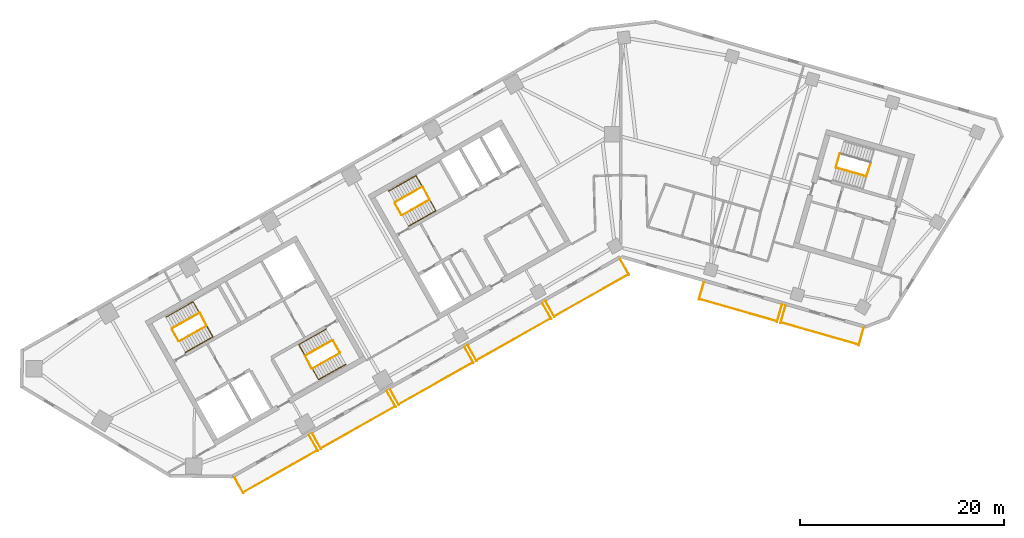
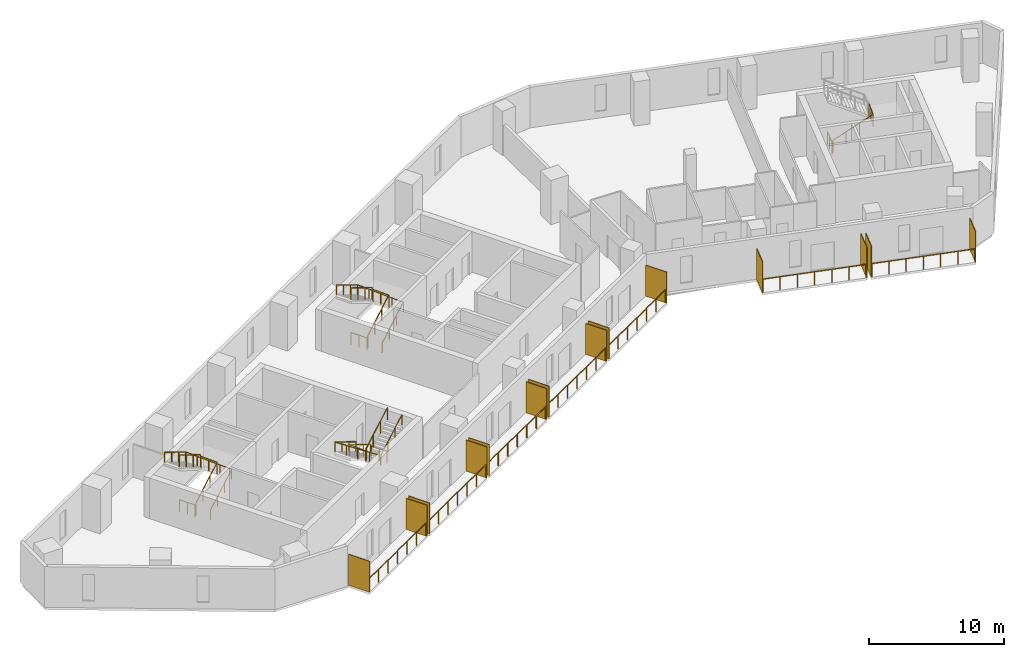
# One storey, part 8 of 9: 21 railings, 14 shading devices.
"""IFC4 building model written with IfcOpenShell, lengths in metres."""

from ifc_helpers import new_model, si_unit, direction, frame, origin, origin_2d, place, context, subcontext, project, spatial, rectangle, circle, extrude, material, layer, layer_set, type_object, element, save


model = new_model("IFC4")

# Units and contexts
model_context = context("Model", 3, precision=1e-05, world=origin(), true_north=direction((0.0, 1.0)))
body_context = subcontext(model_context, "Body", "Model", "MODEL_VIEW")
ifc_project = project(units=[si_unit("LENGTHUNIT", "METRE"), si_unit("AREAUNIT", "SQUARE_METRE"), si_unit("VOLUMEUNIT", "CUBIC_METRE"), si_unit("PLANEANGLEUNIT", "RADIAN"), si_unit("MASSUNIT", "GRAM", prefix="KILO")], contexts=[model_context])

# Site, building, storey
site_placement = place(None, origin())
site = spatial("IfcSite", under=ifc_project, at=site_placement, CompositionType="ELEMENT")
building_placement = place(site_placement, origin())
building = spatial("IfcBuilding", under=site, at=building_placement, Name="Binnacle Exchange Tower", CompositionType="ELEMENT")
storey_placement = place(building_placement, frame((0.0, 0.0, 174.89990234375)))
storey = spatial("IfcBuildingStorey", under=building, at=storey_placement, Name="L37", CompositionType="ELEMENT", Elevation=174.89990234375)

# Railings
ifc_material_1 = material(Name="Bronze anodised aluminium frame", Category="aluminium")
railing_type_1 = type_object("IfcRailingType", Name="GUARD 1200", PredefinedType="GUARDRAIL", material=ifc_material_1)
railing_1_placement = place(storey_placement, frame((-36.994140625, 24.921142578125, 0.0)))
element("IfcRailing", 1, at=railing_1_placement, inside=storey, type_object=railing_type_1, Name="Balcony guard G01-B00 L37", PredefinedType="GUARDRAIL", context=body_context, shape_type="SweptSolid", body=[
    extrude(circle(Radius=0.02392578125, at=origin_2d()), frame((0.0, 0.0, 1.17578125), z_axis=(0.8703461643, 0.49244040684, 0.0), x_axis=(-0.49244040684, 0.8703461643, 0.0)), (0.0, 0.0, 1.0), 8.33447265625),
    extrude(circle(Radius=0.02099609375, at=origin_2d()), origin(), (0.0, 0.0, 1.0), 1.15185546875),
    extrude(circle(Radius=0.02099609375, at=origin_2d()), frame((1.208984375, 0.68408203125, 0.0)), (0.0, 0.0, 1.0), 1.15185546875),
    extrude(circle(Radius=0.02099609375, at=origin_2d()), frame((2.41796875, 1.3681640625, 0.0)), (0.0, 0.0, 1.0), 1.15185546875),
    extrude(circle(Radius=0.02099609375, at=origin_2d()), frame((3.626953125, 2.05224609375, 0.0)), (0.0, 0.0, 1.0), 1.15185546875),
    extrude(circle(Radius=0.02099609375, at=origin_2d()), frame((4.8359375, 2.736083984375, 0.0)), (0.0, 0.0, 1.0), 1.15185546875),
    extrude(circle(Radius=0.02099609375, at=origin_2d()), frame((6.044921875, 3.420166015625, 0.0)), (0.0, 0.0, 1.0), 1.15185546875),
    extrude(circle(Radius=0.02099609375, at=origin_2d()), frame((7.25390625, 4.104248046875, 0.0)), (0.0, 0.0, 1.0), 1.15185546875),
])
railing_2_placement = place(storey_placement, frame((-29.374755859375, 29.232177734375, 0.0)))
element("IfcRailing", 2, at=railing_2_placement, inside=storey, type_object=railing_type_1, Name="Balcony guard G01-B01 L37", PredefinedType="GUARDRAIL", context=body_context, shape_type="SweptSolid", body=[
    extrude(circle(Radius=0.02392578125, at=origin_2d()), frame((0.0, 0.0, 1.17578125), z_axis=(0.870365821494, 0.492405662818, 0.0), x_axis=(-0.492405662818, 0.870365821494, 0.0)), (0.0, 0.0, 1.0), 8.334716796875),
    extrude(circle(Radius=0.02099609375, at=origin_2d()), origin(), (0.0, 0.0, 1.0), 1.15185546875),
    extrude(circle(Radius=0.02099609375, at=origin_2d()), frame((1.208984375, 0.68408203125, 0.0)), (0.0, 0.0, 1.0), 1.15185546875),
    extrude(circle(Radius=0.02099609375, at=origin_2d()), frame((2.41796875, 1.367919921875, 0.0)), (0.0, 0.0, 1.0), 1.15185546875),
    extrude(circle(Radius=0.02099609375, at=origin_2d()), frame((3.626953125, 2.052001953125, 0.0)), (0.0, 0.0, 1.0), 1.15185546875),
    extrude(circle(Radius=0.02099609375, at=origin_2d()), frame((4.836181640625, 2.736083984375, 0.0)), (0.0, 0.0, 1.0), 1.15185546875),
    extrude(circle(Radius=0.02099609375, at=origin_2d()), frame((6.045166015625, 3.419921875, 0.0)), (0.0, 0.0, 1.0), 1.15185546875),
    extrude(circle(Radius=0.02099609375, at=origin_2d()), frame((7.254150390625, 4.10400390625, 0.0)), (0.0, 0.0, 1.0), 1.15185546875),
])
railing_3_placement = place(storey_placement, frame((-21.7548828125, 33.54296875, 0.0)))
element("IfcRailing", 3, at=railing_3_placement, inside=storey, type_object=railing_type_1, Name="Balcony guard G01-B02 L37", PredefinedType="GUARDRAIL", context=body_context, shape_type="SweptSolid", body=[
    extrude(circle(Radius=0.02392578125, at=origin_2d()), frame((0.0, 0.0, 1.17578125), z_axis=(0.870339060608, 0.492452961795, 0.0), x_axis=(-0.492452961795, 0.870339060608, 0.0)), (0.0, 0.0, 1.0), 8.334228515625),
    extrude(circle(Radius=0.02099609375, at=origin_2d()), origin(), (0.0, 0.0, 1.0), 1.15185546875),
    extrude(circle(Radius=0.02099609375, at=origin_2d()), frame((1.208984375, 0.68408203125, 0.0)), (0.0, 0.0, 1.0), 1.15185546875),
    extrude(circle(Radius=0.02099609375, at=origin_2d()), frame((2.41796875, 1.3681640625, 0.0)), (0.0, 0.0, 1.0), 1.15185546875),
    extrude(circle(Radius=0.02099609375, at=origin_2d()), frame((3.626953125, 2.05224609375, 0.0)), (0.0, 0.0, 1.0), 1.15185546875),
    extrude(circle(Radius=0.02099609375, at=origin_2d()), frame((4.835693359375, 2.736083984375, 0.0)), (0.0, 0.0, 1.0), 1.15185546875),
    extrude(circle(Radius=0.02099609375, at=origin_2d()), frame((6.044677734375, 3.420166015625, 0.0)), (0.0, 0.0, 1.0), 1.15185546875),
    extrude(circle(Radius=0.02099609375, at=origin_2d()), frame((7.253662109375, 4.104248046875, 0.0)), (0.0, 0.0, 1.0), 1.15185546875),
])
railing_4_placement = place(storey_placement, frame((-14.135498046875, 37.85400390625, 0.0)))
element("IfcRailing", 4, at=railing_4_placement, inside=storey, type_object=railing_type_1, Name="Balcony guard G01-B03 L37", PredefinedType="GUARDRAIL", context=body_context, shape_type="SweptSolid", body=[
    extrude(circle(Radius=0.02392578125, at=origin_2d()), frame((0.0, 0.0, 1.17578125), z_axis=(0.870365821494, 0.492405662818, 0.0), x_axis=(-0.492405662818, 0.870365821494, 0.0)), (0.0, 0.0, 1.0), 8.334716796875),
    extrude(circle(Radius=0.02099609375, at=origin_2d()), origin(), (0.0, 0.0, 1.0), 1.15185546875),
    extrude(circle(Radius=0.02099609375, at=origin_2d()), frame((1.208984375, 0.68408203125, 0.0)), (0.0, 0.0, 1.0), 1.15185546875),
    extrude(circle(Radius=0.02099609375, at=origin_2d()), frame((2.41796875, 1.367919921875, 0.0)), (0.0, 0.0, 1.0), 1.15185546875),
    extrude(circle(Radius=0.02099609375, at=origin_2d()), frame((3.626953125, 2.052001953125, 0.0)), (0.0, 0.0, 1.0), 1.15185546875),
    extrude(circle(Radius=0.02099609375, at=origin_2d()), frame((4.836181640625, 2.736083984375, 0.0)), (0.0, 0.0, 1.0), 1.15185546875),
    extrude(circle(Radius=0.02099609375, at=origin_2d()), frame((6.045166015625, 3.419921875, 0.0)), (0.0, 0.0, 1.0), 1.15185546875),
    extrude(circle(Radius=0.02099609375, at=origin_2d()), frame((7.254150390625, 4.10400390625, 0.0)), (0.0, 0.0, 1.0), 1.15185546875),
])
railing_5_placement = place(storey_placement, frame((-6.515869140625, 42.164794921875, 0.0)))
element("IfcRailing", 5, at=railing_5_placement, inside=storey, type_object=railing_type_1, Name="Balcony guard G01-B04 L37", PredefinedType="GUARDRAIL", context=body_context, shape_type="SweptSolid", body=[
    extrude(circle(Radius=0.02392578125, at=origin_2d()), frame((0.0, 0.0, 1.17578125), z_axis=(0.8703461643, 0.49244040684, 0.0), x_axis=(-0.49244040684, 0.8703461643, 0.0)), (0.0, 0.0, 1.0), 8.33447265625),
    extrude(circle(Radius=0.02099609375, at=origin_2d()), origin(), (0.0, 0.0, 1.0), 1.15185546875),
    extrude(circle(Radius=0.02099609375, at=origin_2d()), frame((1.208984375, 0.68408203125, 0.0)), (0.0, 0.0, 1.0), 1.15185546875),
    extrude(circle(Radius=0.02099609375, at=origin_2d()), frame((2.41796875, 1.3681640625, 0.0)), (0.0, 0.0, 1.0), 1.15185546875),
    extrude(circle(Radius=0.02099609375, at=origin_2d()), frame((3.626953125, 2.05224609375, 0.0)), (0.0, 0.0, 1.0), 1.15185546875),
    extrude(circle(Radius=0.02099609375, at=origin_2d()), frame((4.8359375, 2.736083984375, 0.0)), (0.0, 0.0, 1.0), 1.15185546875),
    extrude(circle(Radius=0.02099609375, at=origin_2d()), frame((6.044921875, 3.420166015625, 0.0)), (0.0, 0.0, 1.0), 1.15185546875),
    extrude(circle(Radius=0.02099609375, at=origin_2d()), frame((7.25390625, 4.104248046875, 0.0)), (0.0, 0.0, 1.0), 1.15185546875),
])
for number, where, name in (
    (6, (7.6845703125, 43.85107421875, 0.0), "Balcony guard G02-B01 L37"),
    (7, (15.6826171875, 41.5576171875, 0.0), "Balcony guard G02-B02 L37"),
):
    element("IfcRailing", number, at=place(storey_placement, frame(where)), inside=storey, type_object=railing_type_1, Name=name, PredefinedType="GUARDRAIL", context=body_context, shape_type="SweptSolid", body=[
        extrude(circle(Radius=0.02392578125, at=origin_2d()), frame((0.0, 0.0, 1.17578125), z_axis=(0.961265805968, -0.275623022035, 0.0), x_axis=(0.275623022035, 0.961265805968, 0.0)), (0.0, 0.0, 1.0), 7.900146484375),
        extrude(circle(Radius=0.02099609375, at=origin_2d()), origin(), (0.0, 0.0, 1.0), 1.15185546875),
        extrude(circle(Radius=0.02099609375, at=origin_2d()), frame((1.265625, -0.36279296875, 0.0)), (0.0, 0.0, 1.0), 1.15185546875),
        extrude(circle(Radius=0.02099609375, at=origin_2d()), frame((2.531494140625, -0.725830078125, 0.0)), (0.0, 0.0, 1.0), 1.15185546875),
        extrude(circle(Radius=0.02099609375, at=origin_2d()), frame((3.797119140625, -1.0888671875, 0.0)), (0.0, 0.0, 1.0), 1.15185546875),
        extrude(circle(Radius=0.02099609375, at=origin_2d()), frame((5.062744140625, -1.45166015625, 0.0)), (0.0, 0.0, 1.0), 1.15185546875),
        extrude(circle(Radius=0.02099609375, at=origin_2d()), frame((6.32861328125, -1.814453125, 0.0)), (0.0, 0.0, 1.0), 1.15185546875),
        extrude(circle(Radius=0.02099609375, at=origin_2d()), frame((7.59423828125, -2.177490234375, 0.0)), (0.0, 0.0, 1.0), 1.15185546875),
    ])

# Shading devices
ifc_material_2 = material(Name="Bronze aluminium louvre", Category="aluminium")
ifc_layer = layer(ifc_material_2, 0.06005859375)
ifc_layer_set = layer_set([ifc_layer], Name="PLANTED SCREEN 60x2800")
shading_device_type = type_object("IfcShadingDeviceType", Name="PLANTED SCREEN 60x2800", PredefinedType="USERDEFINED", material=ifc_layer_set)
for number, where, z_axis, x_axis, name in (
    (8, (-37.424072265625, 25.6201171875, 0.0), (0.0, 0.0, 1.0), (0.87035569594, 0.492423560103, 0.0), "Planted screen G01-B00a L37"),
    (9, (-30.117919921875, 29.753662109375, 0.0), (0.0, 0.0, 1.0), (0.87035569594, 0.492423560103, 0.0), "Planted screen G01-B00b L37"),
    (10, (-29.8046875, 29.930908203125, 0.0), (0.0, 0.0, 1.0), (0.87035569594, 0.492423560103, 0.0), "Planted screen G01-B01a L37"),
    (11, (-22.498291015625, 34.064697265625, 0.0), (0.0, 0.0, 1.0), (0.87035569594, 0.492423560103, 0.0), "Planted screen G01-B01b L37"),
    (12, (-22.184814453125, 34.241943359375, 0.0), (0.0, 0.0, 1.0), (0.87035569594, 0.492423560103, 0.0), "Planted screen G01-B02a L37"),
    (13, (-14.878662109375, 38.37548828125, 0.0), (0.0, 0.0, 1.0), (0.87035569594, 0.492423560103, 0.0), "Planted screen G01-B02b L37"),
    (14, (-14.5654296875, 38.552978515625, 0.0), (0.0, 0.0, 1.0), (0.87035569594, 0.492423560103, 0.0), "Planted screen G01-B03a L37"),
    (15, (-7.259033203125, 42.6865234375, 0.0), (0.0, 0.0, 1.0), (0.87035569594, 0.492423560103, 0.0), "Planted screen G01-B03b L37"),
    (16, (-6.94580078125, 42.864013671875, 0.0), (0.0, 0.0, 1.0), (0.87035569594, 0.492423560103, 0.0), "Planted screen G01-B04a L37"),
    (17, (0.3603515625, 46.99755859375, 0.0), (0.0, 0.0, 1.0), (0.87035569594, 0.492423560103, 0.0), "Planted screen G01-B04b L37"),
    (18, (7.881591796875, 44.647705078125, 0.0), (0.0, 0.0, 1.0), (0.961261695938, -0.275637355817, 0.0), "Planted screen G02-B01a L37"),
    (19, (15.53369140625, 42.45361328125, 0.0), (0.0, 0.0, 1.0), (0.961261695938, -0.275637355817, 0.0), "Planted screen G02-B01b L37"),
    (20, (15.8798828125, 42.354248046875, 0.0), (0.0, 0.0, 1.0), (0.961261695938, -0.275637355817, 0.0), "Planted screen G02-B02a L37"),
    (21, (23.53173828125, 40.16015625, 0.0), (0.0, 0.0, 1.0), (0.961261695938, -0.275637355817, 0.0), "Planted screen G02-B02b L37"),
):
    element("IfcShadingDevice", number, at=place(storey_placement, frame(where, z_axis=z_axis, x_axis=x_axis)), inside=storey, type_object=shading_device_type, Name=name, ObjectType="SCREEN", PredefinedType="USERDEFINED", context=body_context, shape_type="SweptSolid", body=[
        extrude(rectangle(XDim=0.06005859375, YDim=1.800048828125, at=origin_2d()), origin(), (0.0, 0.0, 1.0), 2.800048828125),
    ])

# Railings
ifc_material_3 = material(Name="Steel guard rail", Category="steel")
railing_type_2 = type_object("IfcRailingType", Name="STAIR GUARD 1100", PredefinedType="GUARDRAIL", material=ifc_material_3)
railing_6_placement = place(storey_placement, frame((-43.26171875, 39.71728515625, 0.166748046875)))
element("IfcRailing", 22, at=railing_6_placement, inside=storey, type_object=railing_type_2, Name="L37 STA1 stair guard 1", PredefinedType="GUARDRAIL", context=body_context, shape_type="SweptSolid", body=[
    extrude(circle(Radius=0.02392578125, at=origin_2d()), frame((0.0, 0.0, 1.076171875), z_axis=(0.747900833971, 0.423129324283, 0.511474258861), x_axis=(-0.492412445098, 0.870361984414, 0.0)), (0.0, 0.0, 1.0), 3.584228515625),
    extrude(circle(Radius=0.02392578125, at=origin_2d()), frame((2.6806640625, 1.5166015625, 2.9091796875), z_axis=(-0.461100321709, 0.887348011391, 0.0), x_axis=(-0.887348011391, -0.461100321709, 0.0)), (0.0, 0.0, 1.0), 1.40087890625),
    extrude(circle(Radius=0.02099609375, at=origin_2d()), origin(), (0.0, 0.0, 1.0), 1.052001953125),
    extrude(circle(Radius=0.02099609375, at=origin_2d()), frame((0.8935546875, 0.505615234375, 0.611083984375)), (0.0, 0.0, 1.0), 1.052001953125),
    extrude(circle(Radius=0.02099609375, at=origin_2d()), frame((1.787109375, 1.010986328125, 1.22216796875)), (0.0, 0.0, 1.0), 1.052001953125),
    extrude(circle(Radius=0.02099609375, at=origin_2d()), frame((2.6806640625, 1.5166015625, 1.833251953125)), (0.0, 0.0, 1.0), 1.052001953125),
    extrude(circle(Radius=0.02099609375, at=origin_2d()), frame((2.357666015625, 2.13818359375, 1.833251953125)), (0.0, 0.0, 1.0), 1.052001953125),
    extrude(circle(Radius=0.02099609375, at=origin_2d()), frame((2.03466796875, 2.759765625, 1.833251953125)), (0.0, 0.0, 1.0), 1.052001953125),
])
railing_7_placement = place(storey_placement, frame((-41.295166015625, 42.49609375, 2.166748046875)))
element("IfcRailing", 23, at=railing_7_placement, inside=storey, type_object=railing_type_2, Name="L37 STA1 stair guard 2", PredefinedType="GUARDRAIL", context=body_context, shape_type="SweptSolid", body=[
    extrude(circle(Radius=0.02392578125, at=origin_2d()), frame((0.0, 0.0, 1.076171875), z_axis=(-0.747879277632, -0.423185241524, 0.511459516916), x_axis=(0.492472489424, -0.870328011247, 0.0)), (0.0, 0.0, 1.0), 3.58447265625),
    extrude(circle(Radius=0.02099609375, at=origin_2d()), origin(), (0.0, 0.0, 1.0), 1.052001953125),
    extrude(circle(Radius=0.02099609375, at=origin_2d()), frame((-0.8935546875, -0.505615234375, 0.611083984375)), (0.0, 0.0, 1.0), 1.052001953125),
    extrude(circle(Radius=0.02099609375, at=origin_2d()), frame((-1.787109375, -1.01123046875, 1.22216796875)), (0.0, 0.0, 1.0), 1.052001953125),
    extrude(circle(Radius=0.02099609375, at=origin_2d()), frame((-2.6806640625, -1.516845703125, 1.833251953125)), (0.0, 0.0, 1.0), 1.052001953125),
])
railing_8_placement = place(storey_placement, frame((-43.329833984375, 39.736328125, 0.0)))
element("IfcRailing", 24, at=railing_8_placement, inside=storey, type_object=railing_type_2, Name="L37 STA1 stair guard 3", PredefinedType="GUARDRAIL", context=body_context, shape_type="SweptSolid", body=[
    extrude(circle(Radius=0.02392578125, at=origin_2d()), frame((0.0, 0.0, 1.076171875), z_axis=(-0.4924922531, 0.870316827734, 0.0), x_axis=(-0.870316827734, -0.4924922531, 0.0)), (0.0, 0.0, 1.0), 1.349853515625),
    extrude(circle(Radius=0.02099609375, at=origin_2d()), origin(), (0.0, 0.0, 1.0), 1.052001953125),
    extrude(circle(Radius=0.02099609375, at=origin_2d()), frame((-0.33251953125, 0.58740234375, 0.0)), (0.0, 0.0, 1.0), 1.052001953125),
    extrude(circle(Radius=0.02099609375, at=origin_2d()), frame((-0.664794921875, 1.1748046875, 0.0)), (0.0, 0.0, 1.0), 1.052001953125),
])
railing_9_placement = place(storey_placement, frame((-28.265380859375, 39.814453125, 0.166748046875)))
element("IfcRailing", 25, at=railing_9_placement, inside=storey, type_object=railing_type_2, Name="L37 STA2 stair guard 1", PredefinedType="GUARDRAIL", context=body_context, shape_type="SweptSolid", body=[
    extrude(circle(Radius=0.02392578125, at=origin_2d()), frame((0.0, 0.0, 1.076171875), z_axis=(-0.747900833971, -0.423129324283, 0.511474258861), x_axis=(0.492412445098, -0.870361984414, 0.0)), (0.0, 0.0, 1.0), 3.584228515625),
    extrude(circle(Radius=0.02392578125, at=origin_2d()), frame((-2.6806640625, -1.5166015625, 2.9091796875), z_axis=(0.460963092712, -0.887419307406, 0.0), x_axis=(0.887419307406, 0.460963092712, 0.0)), (0.0, 0.0, 1.0), 1.40087890625),
    extrude(circle(Radius=0.02099609375, at=origin_2d()), origin(), (0.0, 0.0, 1.0), 1.052001953125),
    extrude(circle(Radius=0.02099609375, at=origin_2d()), frame((-0.8935546875, -0.505615234375, 0.611083984375)), (0.0, 0.0, 1.0), 1.052001953125),
    extrude(circle(Radius=0.02099609375, at=origin_2d()), frame((-1.787109375, -1.010986328125, 1.22216796875)), (0.0, 0.0, 1.0), 1.052001953125),
    extrude(circle(Radius=0.02099609375, at=origin_2d()), frame((-2.6806640625, -1.5166015625, 1.833251953125)), (0.0, 0.0, 1.0), 1.052001953125),
    extrude(circle(Radius=0.02099609375, at=origin_2d()), frame((-2.35791015625, -2.13818359375, 1.833251953125)), (0.0, 0.0, 1.0), 1.052001953125),
    extrude(circle(Radius=0.02099609375, at=origin_2d()), frame((-2.034912109375, -2.759765625, 1.833251953125)), (0.0, 0.0, 1.0), 1.052001953125),
])
railing_10_placement = place(storey_placement, frame((-30.232177734375, 37.035888671875, 2.166748046875)))
element("IfcRailing", 26, at=railing_10_placement, inside=storey, type_object=railing_type_2, Name="L37 STA2 stair guard 2", PredefinedType="GUARDRAIL", context=body_context, shape_type="SweptSolid", body=[
    extrude(circle(Radius=0.02392578125, at=origin_2d()), frame((0.0, 0.0, 1.076171875), z_axis=(0.747900833971, 0.423129324283, 0.511474258861), x_axis=(-0.492412445098, 0.870361984414, 0.0)), (0.0, 0.0, 1.0), 3.584228515625),
    extrude(circle(Radius=0.02099609375, at=origin_2d()), origin(), (0.0, 0.0, 1.0), 1.052001953125),
    extrude(circle(Radius=0.02099609375, at=origin_2d()), frame((0.8935546875, 0.505615234375, 0.611083984375)), (0.0, 0.0, 1.0), 1.052001953125),
    extrude(circle(Radius=0.02099609375, at=origin_2d()), frame((1.787109375, 1.010986328125, 1.22216796875)), (0.0, 0.0, 1.0), 1.052001953125),
    extrude(circle(Radius=0.02099609375, at=origin_2d()), frame((2.6806640625, 1.5166015625, 1.833251953125)), (0.0, 0.0, 1.0), 1.052001953125),
])
railing_11_placement = place(storey_placement, frame((-28.197265625, 39.795654296875, 0.0)))
element("IfcRailing", 27, at=railing_11_placement, inside=storey, type_object=railing_type_2, Name="L37 STA2 stair guard 3", PredefinedType="GUARDRAIL", context=body_context, shape_type="SweptSolid", body=[
    extrude(circle(Radius=0.02392578125, at=origin_2d()), frame((0.0, 0.0, 1.076171875), z_axis=(0.49241474071, -0.870360685654, 0.0), x_axis=(0.870360685654, 0.49241474071, 0.0)), (0.0, 0.0, 1.0), 1.35009765625),
    extrude(circle(Radius=0.02099609375, at=origin_2d()), origin(), (0.0, 0.0, 1.0), 1.052001953125),
    extrude(circle(Radius=0.02099609375, at=origin_2d()), frame((0.33251953125, -0.58740234375, 0.0)), (0.0, 0.0, 1.0), 1.052001953125),
    extrude(circle(Radius=0.02099609375, at=origin_2d()), frame((0.664794921875, -1.175048828125, 0.0)), (0.0, 0.0, 1.0), 1.052001953125),
])
railing_12_placement = place(storey_placement, frame((-21.423828125, 52.07275390625, 0.166748046875)))
element("IfcRailing", 28, at=railing_12_placement, inside=storey, type_object=railing_type_2, Name="L37 STC1 stair guard 1", PredefinedType="GUARDRAIL", context=body_context, shape_type="SweptSolid", body=[
    extrude(circle(Radius=0.02392578125, at=origin_2d()), frame((0.0, 0.0, 1.076171875), z_axis=(0.747900833971, 0.423129324283, 0.511474258861), x_axis=(-0.492412445098, 0.870361984414, 0.0)), (0.0, 0.0, 1.0), 3.584228515625),
    extrude(circle(Radius=0.02392578125, at=origin_2d()), frame((2.6806640625, 1.5166015625, 2.9091796875), z_axis=(-0.460963092712, 0.887419307406, 0.0), x_axis=(-0.887419307406, -0.460963092712, 0.0)), (0.0, 0.0, 1.0), 1.40087890625),
    extrude(circle(Radius=0.02099609375, at=origin_2d()), origin(), (0.0, 0.0, 1.0), 1.052001953125),
    extrude(circle(Radius=0.02099609375, at=origin_2d()), frame((0.8935546875, 0.505615234375, 0.611083984375)), (0.0, 0.0, 1.0), 1.052001953125),
    extrude(circle(Radius=0.02099609375, at=origin_2d()), frame((1.787109375, 1.010986328125, 1.22216796875)), (0.0, 0.0, 1.0), 1.052001953125),
    extrude(circle(Radius=0.02099609375, at=origin_2d()), frame((2.6806640625, 1.5166015625, 1.833251953125)), (0.0, 0.0, 1.0), 1.052001953125),
    extrude(circle(Radius=0.02099609375, at=origin_2d()), frame((2.35791015625, 2.13818359375, 1.833251953125)), (0.0, 0.0, 1.0), 1.052001953125),
    extrude(circle(Radius=0.02099609375, at=origin_2d()), frame((2.034912109375, 2.759765625, 1.833251953125)), (0.0, 0.0, 1.0), 1.052001953125),
])
railing_13_placement = place(storey_placement, frame((-19.45703125, 54.851318359375, 2.166748046875)))
element("IfcRailing", 29, at=railing_13_placement, inside=storey, type_object=railing_type_2, Name="L37 STC1 stair guard 2", PredefinedType="GUARDRAIL", context=body_context, shape_type="SweptSolid", body=[
    extrude(circle(Radius=0.02392578125, at=origin_2d()), frame((0.0, 0.0, 1.076171875), z_axis=(-0.747900833971, -0.423129324283, 0.511474258861), x_axis=(0.492412445098, -0.870361984414, 0.0)), (0.0, 0.0, 1.0), 3.584228515625),
    extrude(circle(Radius=0.02099609375, at=origin_2d()), origin(), (0.0, 0.0, 1.0), 1.052001953125),
    extrude(circle(Radius=0.02099609375, at=origin_2d()), frame((-0.8935546875, -0.505615234375, 0.611083984375)), (0.0, 0.0, 1.0), 1.052001953125),
    extrude(circle(Radius=0.02099609375, at=origin_2d()), frame((-1.787109375, -1.010986328125, 1.22216796875)), (0.0, 0.0, 1.0), 1.052001953125),
    extrude(circle(Radius=0.02099609375, at=origin_2d()), frame((-2.6806640625, -1.5166015625, 1.833251953125)), (0.0, 0.0, 1.0), 1.052001953125),
])
railing_14_placement = place(storey_placement, frame((-21.491943359375, 52.091552734375, 0.0)))
element("IfcRailing", 30, at=railing_14_placement, inside=storey, type_object=railing_type_2, Name="L37 STC1 stair guard 3", PredefinedType="GUARDRAIL", context=body_context, shape_type="SweptSolid", body=[
    extrude(circle(Radius=0.02392578125, at=origin_2d()), frame((0.0, 0.0, 1.076171875), z_axis=(-0.49241474071, 0.870360685654, 0.0), x_axis=(-0.870360685654, -0.49241474071, 0.0)), (0.0, 0.0, 1.0), 1.35009765625),
    extrude(circle(Radius=0.02099609375, at=origin_2d()), origin(), (0.0, 0.0, 1.0), 1.052001953125),
    extrude(circle(Radius=0.02099609375, at=origin_2d()), frame((-0.33251953125, 0.58740234375, 0.0)), (0.0, 0.0, 1.0), 1.052001953125),
    extrude(circle(Radius=0.02099609375, at=origin_2d()), frame((-0.664794921875, 1.175048828125, 0.0)), (0.0, 0.0, 1.0), 1.052001953125),
])
railing_15_placement = place(storey_placement, frame((21.086669921875, 56.71044921875, 0.166748046875)))
element("IfcRailing", 31, at=railing_15_placement, inside=storey, type_object=railing_type_2, Name="L37 STD1 stair guard 1", PredefinedType="GUARDRAIL", context=body_context, shape_type="SweptSolid", body=[
    extrude(circle(Radius=0.02392578125, at=origin_2d()), frame((0.0, 0.0, 1.076171875), z_axis=(0.826006950853, -0.236897186037, 0.511460888427), x_axis=(0.27568413623, 0.961248280639, 0.0)), (0.0, 0.0, 1.0), 3.584228515625),
    extrude(circle(Radius=0.02392578125, at=origin_2d()), frame((2.960693359375, -0.84912109375, 2.9091796875), z_axis=(0.309684985722, 0.950839213337, 0.0), x_axis=(-0.950839213337, 0.309684985722, 0.0)), (0.0, 0.0, 1.0), 1.40087890625),
    extrude(circle(Radius=0.02099609375, at=origin_2d()), origin(), (0.0, 0.0, 1.0), 1.052001953125),
    extrude(circle(Radius=0.02099609375, at=origin_2d()), frame((0.98681640625, -0.282958984375, 0.611083984375)), (0.0, 0.0, 1.0), 1.052001953125),
    extrude(circle(Radius=0.02099609375, at=origin_2d()), frame((1.973876953125, -0.566162109375, 1.22216796875)), (0.0, 0.0, 1.0), 1.052001953125),
    extrude(circle(Radius=0.02099609375, at=origin_2d()), frame((2.960693359375, -0.84912109375, 1.833251953125)), (0.0, 0.0, 1.0), 1.052001953125),
    extrude(circle(Radius=0.02099609375, at=origin_2d()), frame((3.177734375, -0.18310546875, 1.833251953125)), (0.0, 0.0, 1.0), 1.052001953125),
    extrude(circle(Radius=0.02099609375, at=origin_2d()), frame((3.39453125, 0.48291015625, 1.833251953125)), (0.0, 0.0, 1.0), 1.052001953125),
])
railing_16_placement = place(storey_placement, frame((21.05224609375, 56.772216796875, 0.0)))
element("IfcRailing", 32, at=railing_16_placement, inside=storey, type_object=railing_type_2, Name="L37 STD1 stair guard 3", PredefinedType="GUARDRAIL", context=body_context, shape_type="SweptSolid", body=[
    extrude(circle(Radius=0.02392578125, at=origin_2d()), frame((0.0, 0.0, 1.076171875), z_axis=(0.275795817769, 0.961216243569, 0.0), x_axis=(-0.961216243569, 0.275795817769, 0.0)), (0.0, 0.0, 1.0), 1.349853515625),
    extrude(circle(Radius=0.02099609375, at=origin_2d()), origin(), (0.0, 0.0, 1.0), 1.052001953125),
    extrude(circle(Radius=0.02099609375, at=origin_2d()), frame((0.18603515625, 0.64892578125, 0.0)), (0.0, 0.0, 1.0), 1.052001953125),
    extrude(circle(Radius=0.02099609375, at=origin_2d()), frame((0.372314453125, 1.297607421875, 0.0)), (0.0, 0.0, 1.0), 1.052001953125),
])
ifc_material_4 = material(Name="Steel handrail", Category="steel")
railing_type_3 = type_object("IfcRailingType", Name="STAIR HANDRAIL 900", PredefinedType="HANDRAIL", material=ifc_material_4)
railing_17_placement = place(storey_placement, frame((-42.646240234375, 38.62939453125, 0.166748046875)))
element("IfcRailing", 33, at=railing_17_placement, inside=storey, type_object=railing_type_3, Name="L37 STA1 stair handrail 1", PredefinedType="HANDRAIL", context=body_context, shape_type="SweptSolid", body=[
    extrude(circle(Radius=0.02392578125, at=origin_2d()), frame((0.0, 0.0, 0.8759765625), z_axis=(0.747900833971, 0.423129324283, 0.511474258861), x_axis=(-0.492412445098, 0.870361984414, 0.0)), (0.0, 0.0, 1.0), 3.584228515625),
    extrude(circle(Radius=0.02392578125, at=origin_2d()), frame((2.6806640625, 1.5166015625, 2.708984375), z_axis=(-0.491975462752, 0.869586854082, 0.042176382711), x_axis=(-0.870361318571, -0.492413622004, 0.0)), (0.0, 0.0, 1.0), 3.95361328125),
    extrude(circle(Radius=0.02392578125, at=origin_2d()), frame((0.735595703125, 4.95458984375, 2.8759765625), z_axis=(-0.747900833971, -0.423129324283, 0.511474258861), x_axis=(0.492412445098, -0.870361984414, 0.0)), (0.0, 0.0, 1.0), 3.584228515625),
    extrude(circle(Radius=0.02099609375, at=origin_2d()), origin(), (0.0, 0.0, 1.0), 0.851806640625),
    extrude(circle(Radius=0.02099609375, at=origin_2d()), frame((0.8935546875, 0.505615234375, 0.611083984375)), (0.0, 0.0, 1.0), 0.851806640625),
    extrude(circle(Radius=0.02099609375, at=origin_2d()), frame((1.787109375, 1.010986328125, 1.22216796875)), (0.0, 0.0, 1.0), 0.851806640625),
    extrude(circle(Radius=0.02099609375, at=origin_2d()), frame((2.6806640625, 1.5166015625, 1.833251953125)), (0.0, 0.0, 1.0), 0.851806640625),
    extrude(circle(Radius=0.02099609375, at=origin_2d()), frame((2.1943359375, 2.3759765625, 1.875)), (0.0, 0.0, 1.0), 0.851806640625),
    extrude(circle(Radius=0.02099609375, at=origin_2d()), frame((1.7080078125, 3.235595703125, 1.91650390625)), (0.0, 0.0, 1.0), 0.851806640625),
    extrude(circle(Radius=0.02099609375, at=origin_2d()), frame((1.221923828125, 4.09521484375, 1.958251953125)), (0.0, 0.0, 1.0), 0.851806640625),
    extrude(circle(Radius=0.02099609375, at=origin_2d()), frame((0.735595703125, 4.95458984375, 2.0)), (0.0, 0.0, 1.0), 0.851806640625),
    extrude(circle(Radius=0.02099609375, at=origin_2d()), frame((-0.157958984375, 4.448974609375, 2.611083984375)), (0.0, 0.0, 1.0), 0.851806640625),
    extrude(circle(Radius=0.02099609375, at=origin_2d()), frame((-1.051513671875, 3.943603515625, 3.22216796875)), (0.0, 0.0, 1.0), 0.851806640625),
    extrude(circle(Radius=0.02099609375, at=origin_2d()), frame((-1.945068359375, 3.43798828125, 3.833251953125)), (0.0, 0.0, 1.0), 0.851806640625),
])
railing_18_placement = place(storey_placement, frame((-28.880859375, 40.90234375, 0.166748046875)))
element("IfcRailing", 34, at=railing_18_placement, inside=storey, type_object=railing_type_3, Name="L37 STA2 stair handrail 1", PredefinedType="HANDRAIL", context=body_context, shape_type="SweptSolid", body=[
    extrude(circle(Radius=0.02392578125, at=origin_2d()), frame((0.0, 0.0, 0.8759765625), z_axis=(-0.747930846092, -0.423107769413, 0.511448203561), x_axis=(0.492378474645, -0.870381202524, 0.0)), (0.0, 0.0, 1.0), 3.58447265625),
    extrude(circle(Radius=0.02392578125, at=origin_2d()), frame((-2.680908203125, -1.5166015625, 2.708984375), z_axis=(0.491975462752, -0.869586854082, 0.042176382711), x_axis=(0.870361318571, 0.492413622004, 0.0)), (0.0, 0.0, 1.0), 3.95361328125),
    extrude(circle(Radius=0.02392578125, at=origin_2d()), frame((-0.73583984375, -4.95458984375, 2.8759765625), z_axis=(0.747909291085, 0.423163685048, 0.51143346387), x_axis=(-0.49243851748, 0.870347233294, 0.0)), (0.0, 0.0, 1.0), 3.58447265625),
    extrude(circle(Radius=0.02099609375, at=origin_2d()), origin(), (0.0, 0.0, 1.0), 0.851806640625),
    extrude(circle(Radius=0.02099609375, at=origin_2d()), frame((-0.8935546875, -0.505615234375, 0.611083984375)), (0.0, 0.0, 1.0), 0.851806640625),
    extrude(circle(Radius=0.02099609375, at=origin_2d()), frame((-1.787353515625, -1.010986328125, 1.22216796875)), (0.0, 0.0, 1.0), 0.851806640625),
    extrude(circle(Radius=0.02099609375, at=origin_2d()), frame((-2.680908203125, -1.5166015625, 1.833251953125)), (0.0, 0.0, 1.0), 0.851806640625),
    extrude(circle(Radius=0.02099609375, at=origin_2d()), frame((-2.194580078125, -2.3759765625, 1.875)), (0.0, 0.0, 1.0), 0.851806640625),
    extrude(circle(Radius=0.02099609375, at=origin_2d()), frame((-1.70849609375, -3.235595703125, 1.91650390625)), (0.0, 0.0, 1.0), 0.851806640625),
    extrude(circle(Radius=0.02099609375, at=origin_2d()), frame((-1.22216796875, -4.09521484375, 1.958251953125)), (0.0, 0.0, 1.0), 0.851806640625),
    extrude(circle(Radius=0.02099609375, at=origin_2d()), frame((-0.73583984375, -4.95458984375, 2.0)), (0.0, 0.0, 1.0), 0.851806640625),
    extrude(circle(Radius=0.02099609375, at=origin_2d()), frame((0.15771484375, -4.448974609375, 2.611083984375)), (0.0, 0.0, 1.0), 0.851806640625),
    extrude(circle(Radius=0.02099609375, at=origin_2d()), frame((1.051513671875, -3.943359375, 3.22216796875)), (0.0, 0.0, 1.0), 0.851806640625),
    extrude(circle(Radius=0.02099609375, at=origin_2d()), frame((1.945068359375, -3.437744140625, 3.833251953125)), (0.0, 0.0, 1.0), 0.851806640625),
])
railing_19_placement = place(storey_placement, frame((-20.808349609375, 50.984619140625, 0.166748046875)))
element("IfcRailing", 35, at=railing_19_placement, inside=storey, type_object=railing_type_3, Name="L37 STC1 stair handrail 1", PredefinedType="HANDRAIL", context=body_context, shape_type="SweptSolid", body=[
    extrude(circle(Radius=0.02392578125, at=origin_2d()), frame((0.0, 0.0, 0.8759765625), z_axis=(0.747909291085, 0.423163685048, 0.51143346387), x_axis=(-0.49243851748, 0.870347233294, 0.0)), (0.0, 0.0, 1.0), 3.58447265625),
    extrude(circle(Radius=0.02392578125, at=origin_2d()), frame((2.680908203125, 1.516845703125, 2.708984375), z_axis=(-0.492001882252, 0.86957179666, 0.042178647619), x_axis=(-0.87034633103, -0.492440112159, 0.0)), (0.0, 0.0, 1.0), 3.953369140625),
    extrude(circle(Radius=0.02392578125, at=origin_2d()), frame((0.73583984375, 4.95458984375, 2.8759765625), z_axis=(-0.747930846092, -0.423107769413, 0.511448203561), x_axis=(0.492378474645, -0.870381202524, 0.0)), (0.0, 0.0, 1.0), 3.58447265625),
    extrude(circle(Radius=0.02099609375, at=origin_2d()), origin(), (0.0, 0.0, 1.0), 0.851806640625),
    extrude(circle(Radius=0.02099609375, at=origin_2d()), frame((0.8935546875, 0.505615234375, 0.611083984375)), (0.0, 0.0, 1.0), 0.851806640625),
    extrude(circle(Radius=0.02099609375, at=origin_2d()), frame((1.787353515625, 1.01123046875, 1.22216796875)), (0.0, 0.0, 1.0), 0.851806640625),
    extrude(circle(Radius=0.02099609375, at=origin_2d()), frame((2.680908203125, 1.516845703125, 1.833251953125)), (0.0, 0.0, 1.0), 0.851806640625),
    extrude(circle(Radius=0.02099609375, at=origin_2d()), frame((2.194580078125, 2.376220703125, 1.875)), (0.0, 0.0, 1.0), 0.851806640625),
    extrude(circle(Radius=0.02099609375, at=origin_2d()), frame((1.70849609375, 3.23583984375, 1.91650390625)), (0.0, 0.0, 1.0), 0.851806640625),
    extrude(circle(Radius=0.02099609375, at=origin_2d()), frame((1.22216796875, 4.09521484375, 1.958251953125)), (0.0, 0.0, 1.0), 0.851806640625),
    extrude(circle(Radius=0.02099609375, at=origin_2d()), frame((0.73583984375, 4.95458984375, 2.0)), (0.0, 0.0, 1.0), 0.851806640625),
    extrude(circle(Radius=0.02099609375, at=origin_2d()), frame((-0.15771484375, 4.448974609375, 2.611083984375)), (0.0, 0.0, 1.0), 0.851806640625),
    extrude(circle(Radius=0.02099609375, at=origin_2d()), frame((-1.051513671875, 3.943603515625, 3.22216796875)), (0.0, 0.0, 1.0), 0.851806640625),
    extrude(circle(Radius=0.02099609375, at=origin_2d()), frame((-1.945068359375, 3.43798828125, 3.833251953125)), (0.0, 0.0, 1.0), 0.851806640625),
])

save(model, "model.ifc")
